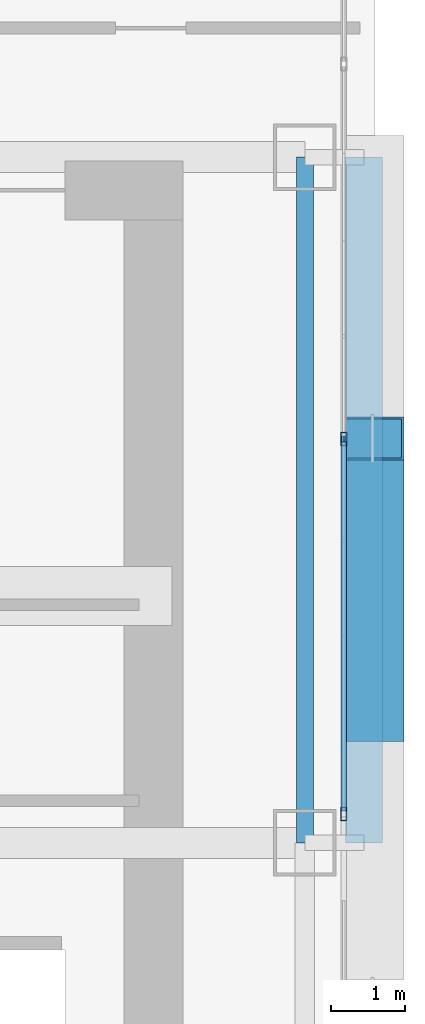
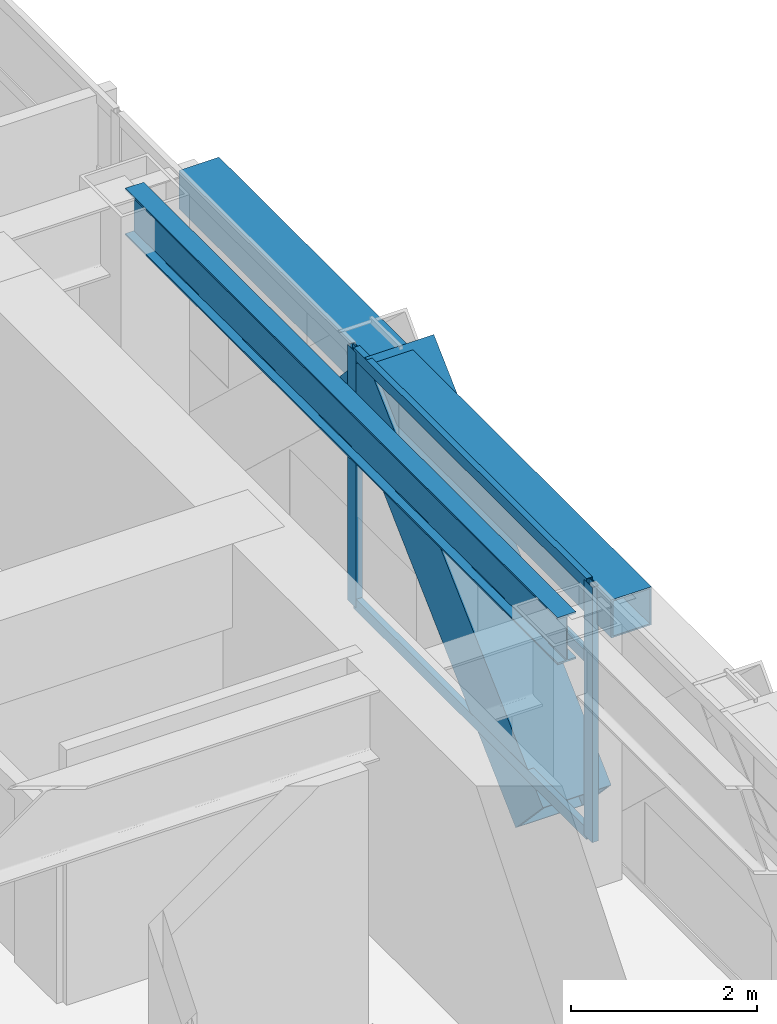
# One storey, part 15 of 35: 6 members, 2 beams, 1 element without a shape of its own.
"""IFC4 building model written with IfcOpenShell, lengths in metres."""

from ifc_helpers import new_model, si_unit, direction, frame, origin, origin_2d, place, context, subcontext, project, spatial, hollow_rectangle, i_section, extrude, source, transform, mapped, material, layer, layer_set, material_profile, profile_set, type_object, element, aggregate, save


model = new_model("IFC4")

# Units and contexts
model_context = context("Model", 3, precision=1e-05, world=origin(), true_north=direction((0.0, 1.0)))
body_context = subcontext(model_context, "Body", "Model", "MODEL_VIEW")
ifc_project = project(units=[si_unit("LENGTHUNIT", "METRE"), si_unit("AREAUNIT", "SQUARE_METRE"), si_unit("VOLUMEUNIT", "CUBIC_METRE"), si_unit("PLANEANGLEUNIT", "RADIAN"), si_unit("MASSUNIT", "GRAM", prefix="KILO")], contexts=[model_context])

# Site, building, storey
site_placement = place(None, origin())
site = spatial("IfcSite", under=ifc_project, at=site_placement, CompositionType="ELEMENT")
building_placement = place(site_placement, origin())
building = spatial("IfcBuilding", under=site, at=building_placement, Name="Ocotamira Hotel", CompositionType="ELEMENT")
storey_placement = place(building_placement, frame((0.0, 0.0, 49.199951171875)))
storey = spatial("IfcBuildingStorey", under=building, at=storey_placement, Name="L11", CompositionType="ELEMENT", Elevation=49.199951171875)

# Beams
ifc_material_1 = material(Name="Steel ASTM A992 Grade 50", Category="steel")
ifc_material_profile_1 = material_profile(ifc_material_1, i_section(OverallWidth=0.22998046875, OverallDepth=0.616943359375, WebThickness=0.01318359375, FlangeThickness=0.022216796875, FilletRadius=0.012939453125, at=origin_2d()), Name="W24X94")
ifc_profile_set_1 = profile_set([ifc_material_profile_1], Name="Steel ASTM A992 Grade 50")
beam_type_1 = type_object("IfcBeamType", Name="BM-PRIM-W24X94", PredefinedType="BEAM", material=ifc_profile_set_1)
shared_shape_1 = source(origin(), body_context, "Body", "SweptSolid", [
    extrude(i_section(OverallWidth=0.22998046875, OverallDepth=0.616943359375, WebThickness=0.01318359375, FlangeThickness=0.022216796875, FilletRadius=0.012939453125, at=origin_2d()), origin(), (0.0, 0.0, 1.0), 9.300048828125),
])
beam_1_placement = place(storey_placement, frame((55.050048828125, 28.14990234375, 3.04150390625), z_axis=(0.0, 1.0, 0.0), x_axis=(-1.0, 0.0, 0.0)))
element("IfcBeam", 1, at=beam_1_placement, inside=storey, type_object=beam_type_1, Name="L11 Beam X55.05 Y28.15-37.45", PredefinedType="BEAM", context=body_context, shape_type="MappedRepresentation", body=[
    mapped(shared_shape_1, transform((0.0, 0.0, 0.0), scale=1.0)),
])
ifc_material_2 = material(Name="Steel ASTM A500 Grade C", Category="steel")
ifc_material_profile_2 = material_profile(ifc_material_2, hollow_rectangle(XDim=0.5, YDim=0.5, WallThickness=0.02001953125, at=origin_2d()), Name="HSS500X500X20")
ifc_profile_set_2 = profile_set([ifc_material_profile_2], Name="Steel ASTM A500 Grade C")
beam_type_2 = type_object("IfcBeamType", Name="BM-SPAN-HSS500", PredefinedType="USERDEFINED", material=ifc_profile_set_2)
shared_shape_2 = source(origin(), body_context, "Body", "SweptSolid", [
    extrude(hollow_rectangle(XDim=0.5, YDim=0.5, WallThickness=0.02001953125, at=origin_2d()), origin(), (0.0, 0.0, 1.0), 9.300048828125),
])
beam_2_placement = place(storey_placement, frame((55.85009765625, 28.14990234375, 3.10009765625), z_axis=(0.0, 1.0, 0.0), x_axis=(-1.0, 0.0, 0.0)))
element("IfcBeam", 2, at=beam_2_placement, inside=storey, type_object=beam_type_2, Name="L11 Edge Spandrel E Y28.15-37.45", ObjectType="SPANDREL", PredefinedType="USERDEFINED", context=body_context, shape_type="MappedRepresentation", body=[
    mapped(shared_shape_2, transform((0.0, 0.0, 0.0), scale=1.0)),
])

# Member
ifc_material_3 = material(Name="Pale-metal coated steel ASTM A913 Grade 65", Category="steel")
ifc_material_profile_3 = material_profile(ifc_material_3, hollow_rectangle(XDim=0.85009765625, YDim=0.85009765625, WallThickness=0.035888671875, at=origin_2d()), Name="BOX850X850X36")
ifc_profile_set_3 = profile_set([ifc_material_profile_3], Name="Pale-metal coated steel ASTM A913 Grade 65")
member_type_1 = type_object("IfcMemberType", Name="MEM-EXO-BOX850", PredefinedType="BRACE", material=ifc_profile_set_3)
shared_shape_3 = source(origin(), body_context, "Body", "SweptSolid", [
    extrude(hollow_rectangle(XDim=0.85009765625, YDim=0.85009765625, WallThickness=0.035888671875, at=origin_2d()), origin(), (0.0, 0.0, 1.0), 5.24658203125),
])
member_1_placement = place(storey_placement, frame((55.969970703125, 29.816650390625, -0.5), z_axis=(0.0, 0.727442733726, 0.686168397078), x_axis=(-1.0, 0.0, 0.0)))
element("IfcMember", 3, at=member_1_placement, inside=storey, type_object=member_type_1, Name="L11 Exoskeleton Diagrid E2.1", PredefinedType="BRACE", context=body_context, shape_type="MappedRepresentation", body=[
    mapped(shared_shape_3, transform((0.0, 0.0, 0.0), scale=1.0)),
])

# Curtain wall, members
ifc_material_4 = material(Name="Anodised pale-metal aluminium and solar glass", Category="aluminium")
ifc_layer = layer(ifc_material_4, 0.179931640625)
ifc_layer_set = layer_set([ifc_layer], Name="Anodised pale-metal aluminium and solar glass")
curtain_wall_type = type_object("IfcCurtainWallType", Name="CW-SYS2-Z1", PredefinedType="NOTDEFINED", material=ifc_layer_set)
curtain_wall_placement = place(storey_placement, origin())
curtain_wall = element("IfcCurtainWall", 4, at=curtain_wall_placement, inside=storey, type_object=curtain_wall_type, Name="L11 Curtain Wall CW-2 CW-L11-E", PredefinedType="NOTDEFINED")
ifc_material_5 = material(Name="Anodised pale-metal aluminium 6063-T6", Category="aluminium")
ifc_material_profile_4 = material_profile(ifc_material_5, hollow_rectangle(XDim=0.074951171875, YDim=0.14990234375, WallThickness=0.006103515625, at=origin_2d()), Name="HSS150X75X6")
ifc_profile_set_4 = profile_set([ifc_material_profile_4], Name="Anodised pale-metal aluminium 6063-T6")
member_type_2 = type_object("IfcMemberType", Name="CWT-150X75", PredefinedType="USERDEFINED", material=ifc_profile_set_4)
shared_shape_4 = source(origin(), body_context, "Body", "SweptSolid", [
    extrude(hollow_rectangle(XDim=0.074951171875, YDim=0.14990234375, WallThickness=0.006103515625, at=origin_2d()), origin(), (0.0, 0.0, 1.0), 5.005859375),
])
member_2_placement = place(storey_placement, frame((55.580078125, 28.582763671875, 0.03759765625), z_axis=(0.0, 1.0, 0.0), x_axis=(-1.0, 0.0, 0.0)))
member_2 = element("IfcMember", 5, at=member_2_placement, type_object=member_type_2, Name="CW-2 transom 5.1", ObjectType="TRANSOM", PredefinedType="USERDEFINED", context=body_context, shape_type="MappedRepresentation", body=[
    mapped(shared_shape_4, transform((0.0, 0.0, 0.0), scale=1.0)),
])
member_3_placement = place(storey_placement, frame((55.580078125, 28.582763671875, 2.35009765625), z_axis=(0.0, 1.0, 0.0), x_axis=(-1.0, 0.0, 0.0)))
member_3 = element("IfcMember", 6, at=member_3_placement, type_object=member_type_2, Name="CW-2 transom 5.2", ObjectType="TRANSOM", PredefinedType="USERDEFINED", context=body_context, shape_type="MappedRepresentation", body=[
    mapped(shared_shape_4, transform((0.0, 0.0, 0.0), scale=1.0)),
])
member_4_placement = place(storey_placement, frame((55.580078125, 28.582763671875, 3.3125), z_axis=(0.0, 1.0, 0.0), x_axis=(-1.0, 0.0, 0.0)))
member_4 = element("IfcMember", 7, at=member_4_placement, type_object=member_type_2, Name="CW-2 transom 5.3", ObjectType="TRANSOM", PredefinedType="USERDEFINED", context=body_context, shape_type="MappedRepresentation", body=[
    mapped(shared_shape_4, transform((0.0, 0.0, 0.0), scale=1.0)),
])
ifc_material_profile_5 = material_profile(ifc_material_5, hollow_rectangle(XDim=0.080078125, YDim=0.179931640625, WallThickness=0.006103515625, at=origin_2d()), Name="HSS180X80X6")
ifc_profile_set_5 = profile_set([ifc_material_profile_5], Name="Anodised pale-metal aluminium 6063-T6")
member_type_3 = type_object("IfcMemberType", Name="CWM-180X75", PredefinedType="MULLION", material=ifc_profile_set_5)
shared_shape_5 = source(origin(), body_context, "Body", "SweptSolid", [
    extrude(hollow_rectangle(XDim=0.080078125, YDim=0.179931640625, WallThickness=0.006103515625, at=origin_2d()), origin(), (0.0, 0.0, 1.0), 3.35009765625),
])
member_5_placement = place(storey_placement, frame((55.580078125, 28.54296875, 0.0), z_axis=(0.0, 0.0, 1.0), x_axis=(-1.0, 0.0, 0.0)))
member_5 = element("IfcMember", 8, at=member_5_placement, type_object=member_type_3, Name="CW-2 mullion 5", PredefinedType="MULLION", context=body_context, shape_type="MappedRepresentation", body=[
    mapped(shared_shape_5, transform((0.0, 0.0, 0.0), scale=1.0)),
])
member_6_placement = place(storey_placement, frame((55.580078125, 33.628662109375, 0.0), z_axis=(0.0, 0.0, 1.0), x_axis=(-1.0, 0.0, 0.0)))
member_6 = element("IfcMember", 9, at=member_6_placement, type_object=member_type_3, Name="CW-2 mullion 6", PredefinedType="MULLION", context=body_context, shape_type="MappedRepresentation", body=[
    mapped(shared_shape_5, transform((0.0, 0.0, 0.0), scale=1.0)),
])
aggregate(curtain_wall, [member_5, member_6, member_2, member_3, member_4])

save(model, "model.ifc")
